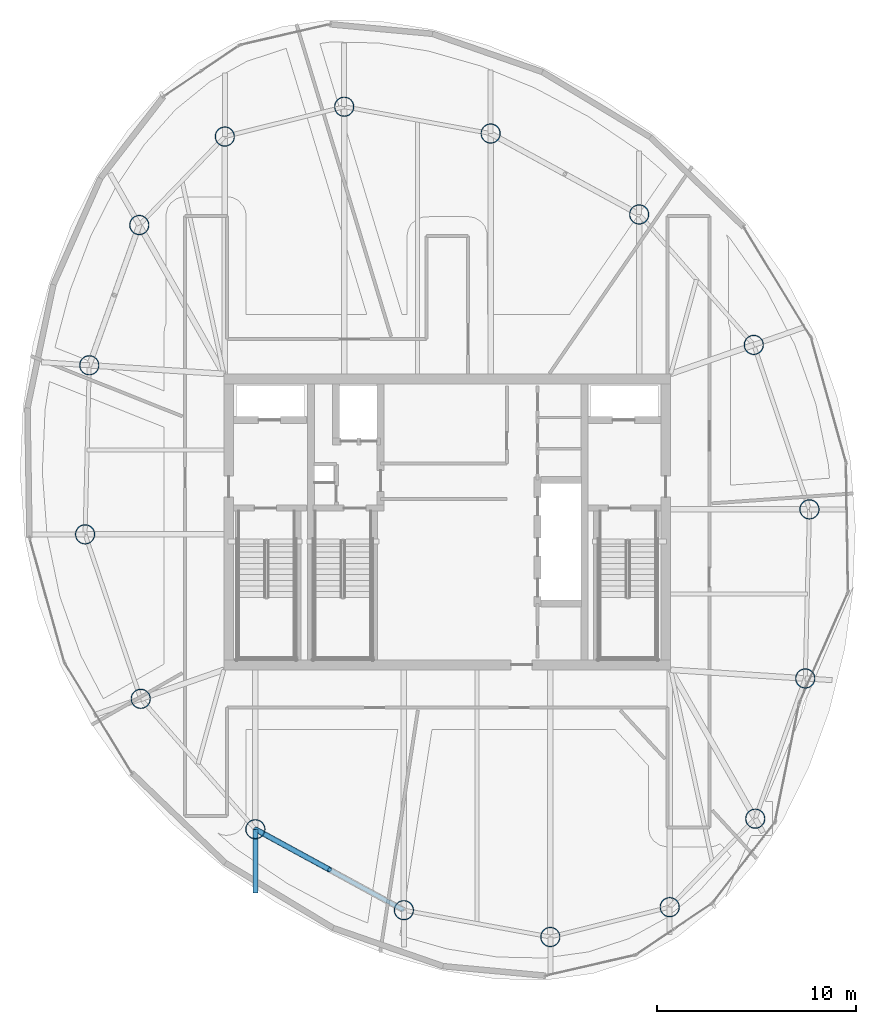
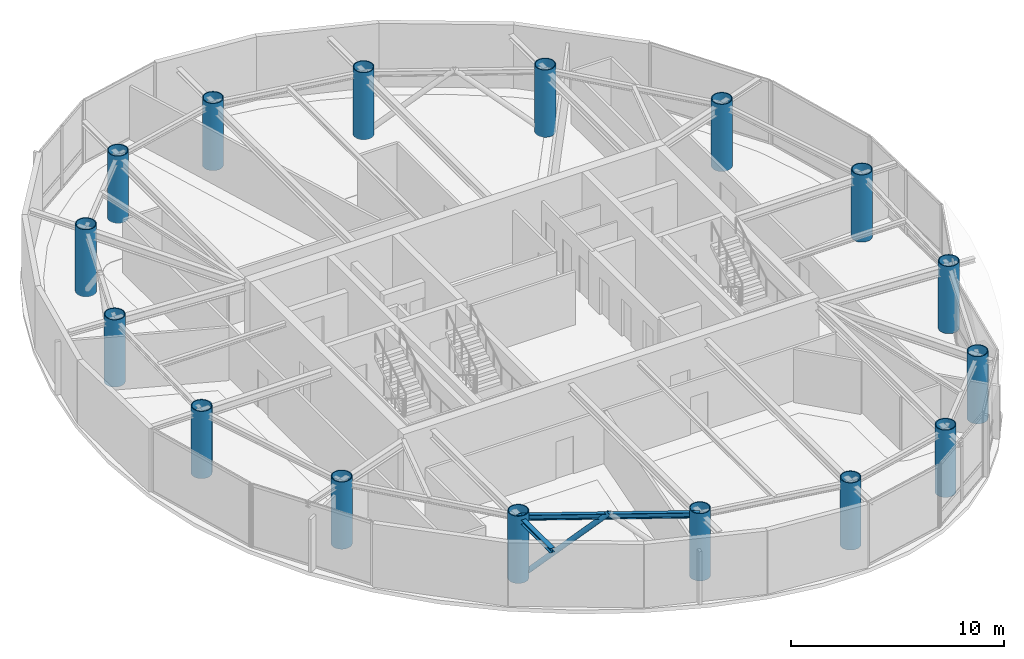
# One storey, part 1 of 19: 16 columns, 2 beams, 1 member.
"""IFC4 building model written with IfcOpenShell, lengths in metres."""

from ifc_helpers import new_model, si_unit, direction, frame, origin, origin_2d, place, context, subcontext, project, spatial, hollow_circle, i_section, extrude, material, material_profile, profile_set, type_object, element, save


model = new_model("IFC4")

# Units and contexts
model_context = context("Model", 3, precision=1e-05, world=origin(), true_north=direction((0.0, 1.0)))
body_context = subcontext(model_context, "Body", "Model", "MODEL_VIEW")
ifc_project = project(units=[si_unit("LENGTHUNIT", "METRE"), si_unit("AREAUNIT", "SQUARE_METRE"), si_unit("VOLUMEUNIT", "CUBIC_METRE"), si_unit("PLANEANGLEUNIT", "RADIAN"), si_unit("MASSUNIT", "GRAM", prefix="KILO")], contexts=[model_context])

# Site, building, storey
site_placement = place(None, origin())
site = spatial("IfcSite", under=ifc_project, at=site_placement, CompositionType="ELEMENT")
building_placement = place(site_placement, origin())
building = spatial("IfcBuilding", under=site, at=building_placement, Name="Bramvorn Convention Spire", CompositionType="ELEMENT")
storey_placement = place(building_placement, frame((0.0, 0.0, 299.800048828125)))
storey = spatial("IfcBuildingStorey", under=building, at=storey_placement, Name="L76", CompositionType="ELEMENT", Elevation=299.800048828125)

# Columns
ifc_material = material(Name="Steel CSA G40.21 Grade 350 (350W)", Category="steel")
ifc_material_profile_1 = material_profile(ifc_material, hollow_circle(Radius=0.5, WallThickness=0.044921875, at=origin_2d()))
ifc_profile_set_1 = profile_set([ifc_material_profile_1], Name="Steel CSA G40.21 Grade 350 (350W) - CFT1000X45")
column_type = type_object("IfcColumnType", Name="COL-CFT1000X45", PredefinedType="COLUMN", material=ifc_profile_set_1)
for number, where, z_axis, x_axis, name in (
    (1, (49.199951171875, 6.60107421875, 0.0), (0.0, 0.0, 1.0), (1.0, 0.0, 0.0), "L76 composite CFT mega-column MC01"),
    (2, (53.50634765625, 11.05615234375, 0.0), (0.0, 0.0, 1.0), (1.0, 0.0, 0.0), "L76 composite CFT mega-column MC02"),
    (3, (56.023681640625, 18.116455078125, 0.0), (0.0, 0.0, 1.0), (1.0, 0.0, 0.0), "L76 composite CFT mega-column MC03"),
    (4, (56.234619140625, 26.62939453125, 0.0), (0.0, 0.0, 1.0), (1.0, 0.0, 0.0), "L76 composite CFT mega-column MC04"),
    (5, (53.4326171875, 34.909912109375, 0.0), (0.0, 0.0, 1.0), (1.0, 0.0, 0.0), "L76 composite CFT mega-column MC05"),
    (6, (47.662353515625, 41.476806640625, 0.0), (0.0, 0.0, 1.0), (1.0, 0.0, 0.0), "L76 composite CFT mega-column MC06"),
    (7, (40.1845703125, 45.55078125, 0.0), (0.0, 0.0, 1.0), (1.0, 0.0, 0.0), "L76 composite CFT mega-column MC07"),
    (8, (32.8115234375, 46.90087890625, 0.0), (0.0, 0.0, 1.0), (1.0, 0.0, 0.0), "L76 composite CFT mega-column MC08"),
    (9, (26.800048828125, 45.39892578125, 0.0), (0.0, 0.0, 1.0), (1.0, 0.0, 0.0), "L76 composite CFT mega-column MC09"),
    (10, (22.49365234375, 40.94384765625, 0.0), (0.0, 0.0, 1.0), (1.0, 0.0, 0.0), "L76 composite CFT mega-column MC10"),
    (11, (19.976318359375, 33.883544921875, 0.0), (0.0, 0.0, 1.0), (1.0, 0.0, 0.0), "L76 composite CFT mega-column MC11"),
    (12, (19.765380859375, 25.37060546875, 0.0), (0.0, 0.0, 1.0), (1.0, 0.0, 0.0), "L76 composite CFT mega-column MC12"),
    (13, (22.5673828125, 17.090087890625, 0.0), (0.0, 0.0, 1.0), (1.0, 0.0, 0.0), "L76 composite CFT mega-column MC13"),
    (14, (28.337646484375, 10.523193359375, 0.0), (0.0, 0.0, 1.0), (1.0, 0.0, 0.0), "L76 composite CFT mega-column MC14"),
    (15, (35.8154296875, 6.44921875, 0.0), (0.0, 0.0, 1.0), (1.0, 0.0, 0.0), "L76 composite CFT mega-column MC15"),
    (16, (43.1884765625, 5.09912109375, 0.0), (0.0, 0.0, 1.0), (1.0, 0.0, 0.0), "L76 composite CFT mega-column MC16"),
):
    element("IfcColumn", number, at=place(storey_placement, frame(where, z_axis=z_axis, x_axis=x_axis)), inside=storey, type_object=column_type, Name=name, PredefinedType="COLUMN", context=body_context, shape_type="SweptSolid", body=[
        extrude(hollow_circle(Radius=0.5, WallThickness=0.044921875, at=origin_2d()), origin(), (0.0, 0.0, 1.0), 3.849853515625),
    ])

# Beams
ifc_material_profile_2 = material_profile(ifc_material, i_section(OverallWidth=0.25390625, OverallDepth=0.2529296875, WebThickness=0.008544921875, FlangeThickness=0.01416015625, FilletRadius=0.011962890625, at=origin_2d()))
ifc_profile_set_2 = profile_set([ifc_material_profile_2], Name="Steel CSA G40.21 Grade 350 (350W) - W250X73")
beam_type_1 = type_object("IfcBeamType", Name="BM-W250X73", PredefinedType="BEAM", material=ifc_profile_set_2)
beam_1_placement = place(storey_placement, frame((28.337646484375, 10.523193359375, 3.49853515625), z_axis=(0.0, -1.0, 0.0), x_axis=(1.0, 0.0, 0.0)))
element("IfcBeam", 17, at=beam_1_placement, inside=storey, type_object=beam_type_1, Name="L76 slab-edge cantilever tip beam MC14", PredefinedType="BEAM", context=body_context, shape_type="SweptSolid", body=[
    extrude(i_section(OverallWidth=0.25390625, OverallDepth=0.2529296875, WebThickness=0.008544921875, FlangeThickness=0.01416015625, FilletRadius=0.011962890625, at=origin_2d()), origin(), (0.0, 0.0, 1.0), 3.199951171875),
])
ifc_material_profile_3 = material_profile(ifc_material, i_section(OverallWidth=0.202880859375, OverallDepth=0.302978515625, WebThickness=0.007568359375, FlangeThickness=0.01318359375, FilletRadius=0.013916015625, at=origin_2d()))
ifc_profile_set_3 = profile_set([ifc_material_profile_3], Name="Steel CSA G40.21 Grade 350 (350W) - W310X60")
beam_type_2 = type_object("IfcBeamType", Name="BM-W310X60", PredefinedType="JOIST", material=ifc_profile_set_3)
beam_2_placement = place(storey_placement, frame((28.337646484375, 10.523193359375, 3.473388671875), z_axis=(0.878133224771, -0.478416178189, 0.0), x_axis=(0.478416178189, 0.878133224771, 0.0)))
element("IfcBeam", 18, at=beam_2_placement, inside=storey, type_object=beam_type_2, Name="L76 mega-column ring beam 14", PredefinedType="JOIST", context=body_context, shape_type="SweptSolid", body=[
    extrude(i_section(OverallWidth=0.202880859375, OverallDepth=0.302978515625, WebThickness=0.007568359375, FlangeThickness=0.01318359375, FilletRadius=0.013916015625, at=origin_2d()), origin(), (0.0, 0.0, 1.0), 8.515625),
])

# Member
ifc_material_profile_4 = material_profile(ifc_material, hollow_circle(Radius=0.136474609375, WallThickness=0.0126953125, at=origin_2d()))
ifc_profile_set_4 = profile_set([ifc_material_profile_4], Name="Steel CSA G40.21 Grade 350 (350W) - CHS273X13")
member_type = type_object("IfcMemberType", Name="MBR-CHS273X13", PredefinedType="BRACE", material=ifc_profile_set_4)
member_placement = place(storey_placement, frame((28.337646484375, 10.523193359375, 0.0), z_axis=(0.668634081548, -0.364288787231, 0.648245435379), x_axis=(0.478426241072, 0.878127742332, 0.0)))
element("IfcMember", 19, at=member_placement, inside=storey, type_object=member_type, Name="L76 perimeter Gothic lancet brace 14A", PredefinedType="BRACE", context=body_context, shape_type="SweptSolid", body=[
    extrude(hollow_circle(Radius=0.136474609375, WallThickness=0.0126953125, at=origin_2d()), origin(), (0.0, 0.0, 1.0), 5.592041015625),
])

save(model, "model.ifc")
